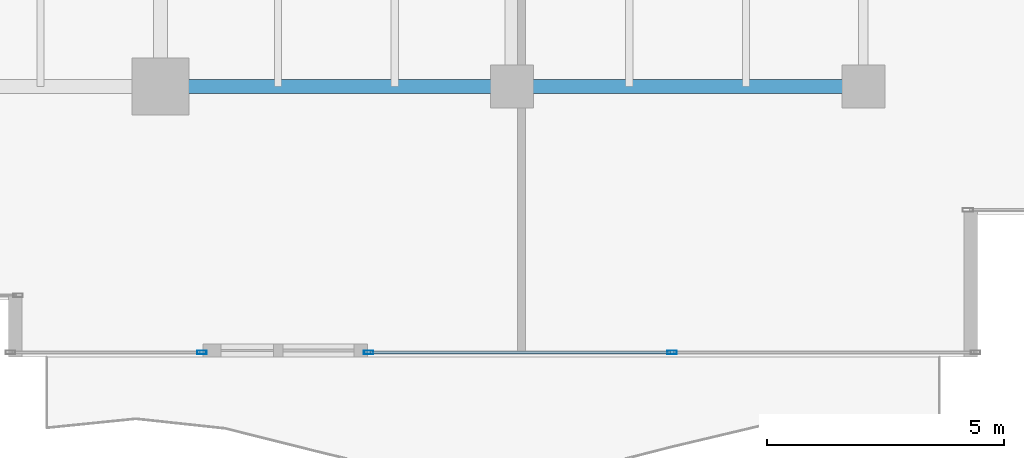
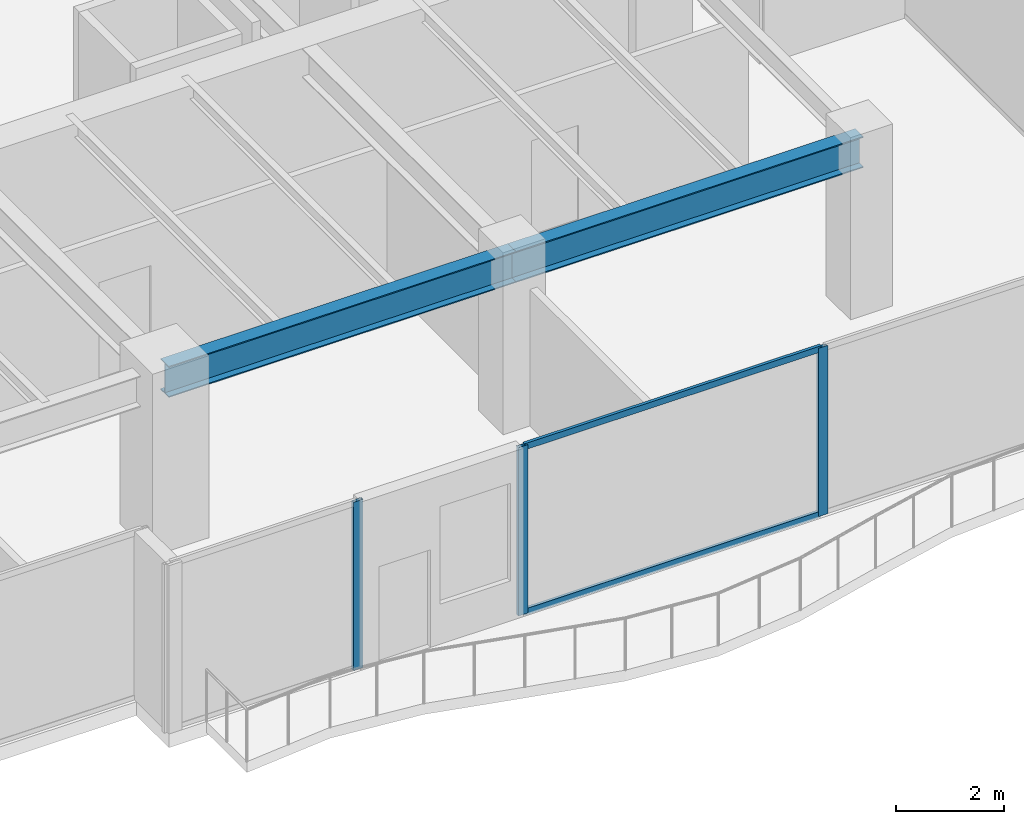
# One storey, part 10 of 30: 5 members, 2 beams, 2 elements without a shape of their own.
"""IFC4 building model written with IfcOpenShell, lengths in metres."""

import ifcopenshell
import ifcopenshell.guid

model = None  # the IFC model being written
_history = None  # IfcOwnerHistory: only IFC2X3 demands one
_inside = {}  # id of a spatial element -> (the spatial element, [elements in it])
_under = {}  # id of a project, library or spatial element -> (it, [spatial elements below it])
_declared = {}  # id of a project -> (the project, [libraries it declares])
_typed = {}  # id of a type object -> (the type object, [elements of that type])
_made_of = {}  # id of a material, layer set ... -> (it, [elements and type objects made of it])


def new_model(schema):
    """Start an empty IFC model of exactly this schema.

    Asked for "IFC4X3", IfcOpenShell would pick the latest addendum, in which some entities
    have other attributes; the version numbers below select the first issue.
    IFC2X3 requires an IfcOwnerHistory on every rooted entity: one is made here for all.
    """
    global model, _history
    if schema == "IFC4X3":
        model = ifcopenshell.file(schema_version=(4, 3, 0, 0))
    else:
        model = ifcopenshell.file(schema=schema)
    _inside.clear()
    _under.clear()
    _declared.clear()
    _typed.clear()
    _made_of.clear()
    _history = None
    if model.schema == "IFC2X3":
        org = make("IfcOrganization", Name="unknown")
        user = make(
            "IfcPersonAndOrganization",
            ThePerson=make("IfcPerson", FamilyName="unknown"),
            TheOrganization=org,
        )
        app = make(
            "IfcApplication",
            ApplicationDeveloper=org,
            Version="unknown",
            ApplicationFullName="unknown",
            ApplicationIdentifier="unknown",
        )
        _history = make(
            "IfcOwnerHistory",
            OwningUser=user,
            OwningApplication=app,
            ChangeAction="ADDED",
            CreationDate=0,
        )
    return model


def make(cls, **values):
    """One entity of the class cls with the attributes given. An attribute that is None is left unset."""
    return model.create_entity(
        cls, **{name: value for name, value in values.items() if value is not None}
    )


def rooted(cls, **values):
    """An entity with a GlobalId (a new one), such as an element, a storey or a relation."""
    return make(cls, GlobalId=ifcopenshell.guid.new(), OwnerHistory=_history, **values)


def si_unit(unit_type, name, prefix=None):
    """IfcSIUnit, for example si_unit("LENGTHUNIT", "METRE", prefix="MILLI")."""
    return make("IfcSIUnit", UnitType=unit_type, Prefix=prefix, Name=name)


def assignment(units):
    """IfcUnitAssignment: the units of a project."""
    return None if units is None else make("IfcUnitAssignment", Units=units)


def point(xyz):
    """IfcCartesianPoint."""
    return None if xyz is None else make("IfcCartesianPoint", Coordinates=xyz)


def direction(xyz):
    """IfcDirection."""
    return None if xyz is None else make("IfcDirection", DirectionRatios=xyz)


def frame(location, z_axis=None, x_axis=None):
    """IfcAxis2Placement3D, a coordinate frame: its origin and axes. An axis left out is left unset."""
    return make(
        "IfcAxis2Placement3D",
        Location=point(location),
        Axis=direction(z_axis),
        RefDirection=direction(x_axis),
    )


def frame_2d(location, x_axis=None):
    """IfcAxis2Placement2D, a coordinate frame in the plane: its origin and x axis."""
    return make(
        "IfcAxis2Placement2D", Location=point(location), RefDirection=direction(x_axis)
    )


def origin():
    """The frame at (0, 0, 0) with its axes left unset."""
    return frame((0.0, 0.0, 0.0))


def origin_2d():
    """The frame at (0, 0) in the plane with its x axis left unset."""
    return frame_2d((0.0, 0.0))


def place(relative_to, where):
    """IfcLocalPlacement: puts the frame where relative to a parent placement (None: the world)."""
    return make(
        "IfcLocalPlacement", PlacementRelTo=relative_to, RelativePlacement=where
    )


def context(
    kind, dimensions, precision=None, world=None, true_north=None, identifier=None
):
    """IfcGeometricRepresentationContext, for example the 3D "Model" context."""
    return make(
        "IfcGeometricRepresentationContext",
        ContextIdentifier=identifier,
        ContextType=kind,
        CoordinateSpaceDimension=dimensions,
        Precision=precision,
        WorldCoordinateSystem=world,
        TrueNorth=true_north,
    )


def subcontext(parent, identifier, kind, view, scale=None):
    """IfcGeometricRepresentationSubContext, for example "Body" below "Model"."""
    return make(
        "IfcGeometricRepresentationSubContext",
        ContextIdentifier=identifier,
        ContextType=kind,
        ParentContext=parent,
        TargetScale=scale,
        TargetView=view,
    )


def project(units=None, contexts=None):
    """IfcProject with its units and contexts."""
    return rooted(
        "IfcProject",
        Name="project",
        RepresentationContexts=contexts,
        UnitsInContext=assignment(units),
    )


def spatial(cls, under=None, at=None, **own):
    """A site, building, storey or space (cls), placed at a placement, below another one or the project."""
    s = rooted(cls, ObjectPlacement=at, **own)
    if under is not None:
        _under.setdefault(under.id(), (under, []))[1].append(s)
    return s


def profile(cls, at=None, kind="AREA", **sizes):
    """A parametric profile (cls). Its sizes go by their IFC names, for example OverallWidth=200.0."""
    return make(cls, ProfileType=kind, Position=at, **sizes)


def hollow_rectangle(**sizes):
    """IfcRectangleHollowProfileDef."""
    return profile("IfcRectangleHollowProfileDef", **sizes)


def i_section(**sizes):
    """IfcIShapeProfileDef."""
    return profile("IfcIShapeProfileDef", **sizes)


def extrude(swept, where, along, depth):
    """IfcExtrudedAreaSolid: the profile swept, set in the frame where, extruded along a direction by depth."""
    return make(
        "IfcExtrudedAreaSolid",
        SweptArea=swept,
        Position=where,
        ExtrudedDirection=direction(along),
        Depth=depth,
    )


def shape(context_of_items, identifier, shape_type, items):
    """IfcShapeRepresentation: the items that make up one representation, for example the "Body"."""
    return make(
        "IfcShapeRepresentation",
        ContextOfItems=context_of_items,
        RepresentationIdentifier=identifier,
        RepresentationType=shape_type,
        Items=items,
    )


def source(mapping_origin, context_of_items, identifier, shape_type, items):
    """IfcRepresentationMap: a shape defined once, which mapped items show again and again."""
    return make(
        "IfcRepresentationMap",
        MappingOrigin=mapping_origin,
        MappedRepresentation=shape(context_of_items, identifier, shape_type, items),
    )


def transform(
    local_origin,
    x_axis=None,
    y_axis=None,
    z_axis=None,
    scale=None,
    scale2=None,
    scale3=None,
    uniform=True,
):
    """IfcCartesianTransformationOperator3D, or its non-uniform kind. x_axis, y_axis, z_axis: its Axis1, 2, 3."""
    if uniform:
        return make(
            "IfcCartesianTransformationOperator3D",
            Axis1=direction(x_axis),
            Axis2=direction(y_axis),
            LocalOrigin=point(local_origin),
            Scale=scale,
            Axis3=direction(z_axis),
        )
    return make(
        "IfcCartesianTransformationOperator3DnonUniform",
        Axis1=direction(x_axis),
        Axis2=direction(y_axis),
        LocalOrigin=point(local_origin),
        Scale=scale,
        Axis3=direction(z_axis),
        Scale2=scale2,
        Scale3=scale3,
    )


def mapped(mapping_source, mapping_target):
    """IfcMappedItem: shows the shape of a source again, moved by a transform."""
    return make(
        "IfcMappedItem", MappingSource=mapping_source, MappingTarget=mapping_target
    )


def material(Name=None, Category=None):
    """IfcMaterial."""
    return make("IfcMaterial", Name=Name, Category=Category)


def layer(
    of_material, thickness, ventilated=None, Name=None, Category=None, Priority=None
):
    """IfcMaterialLayer: one layer of a wall or slab, of a material (None: an air gap)."""
    return make(
        "IfcMaterialLayer",
        Material=of_material,
        LayerThickness=thickness,
        IsVentilated=ventilated,
        Name=Name,
        Category=Category,
        Priority=Priority,
    )


def layer_set(layers, Name=None):
    """IfcMaterialLayerSet."""
    return make("IfcMaterialLayerSet", MaterialLayers=layers, LayerSetName=Name)


def material_profile(
    of_material, cross_section, Name=None, Category=None, Priority=None
):
    """IfcMaterialProfile: a cross section and its material."""
    return make(
        "IfcMaterialProfile",
        Name=Name,
        Material=of_material,
        Profile=cross_section,
        Priority=Priority,
        Category=Category,
    )


def profile_set(profiles, Name=None, composite=None):
    """IfcMaterialProfileSet."""
    return make(
        "IfcMaterialProfileSet",
        Name=Name,
        MaterialProfiles=profiles,
        CompositeProfile=composite,
    )


def made_of(thing, what):
    """Note that an element or type object is made of a material, layer set ...; save() writes the relation."""
    if what is not None:
        _made_of.setdefault(what.id(), (what, []))[1].append(thing)
    return thing


def type_object(cls, material=None, **own):
    """A type object (cls), such as IfcWallType, which elements share."""
    return made_of(rooted(cls, **own), material)


def type_shapes(of_type, sources):
    """Give a type object the sources (RepresentationMaps) that its elements show as mapped items."""
    of_type.RepresentationMaps = sources


def element(
    cls,
    number,
    at=None,
    inside=None,
    cuts=None,
    type_object=None,
    material=None,
    context=None,
    identifier="Body",
    shape_type=None,
    held_by="IfcProductDefinitionShape",
    body=None,
    shapes=None,
    **own,
):
    """One element of the class cls, such as IfcWall. Its Tag is "e" and its number.

    at: its placement. inside: the storey or other place that contains it. cuts: it is an
    opening in that element (IfcRelVoidsElement). A single representation is given by context,
    identifier, shape_type and body (its items); several are given by shapes. held_by: the class
    of the entity that holds the representations. save() writes the other relations.
    """
    e = rooted(cls, Tag="e%d" % number, ObjectPlacement=at, **own)
    if body is not None:
        shapes = [shape(context, identifier, shape_type, body)]
    if shapes is not None:
        e.Representation = make(held_by, Representations=shapes)
    if inside is not None:
        _inside.setdefault(inside.id(), (inside, []))[1].append(e)
    if cuts is not None:
        rooted(
            "IfcRelVoidsElement", RelatingBuildingElement=cuts, RelatedOpeningElement=e
        )
    if type_object is not None:
        _typed.setdefault(type_object.id(), (type_object, []))[1].append(e)
    return made_of(e, material)


def aggregate(whole, parts):
    """IfcRelAggregates: a whole, such as a stair, and the parts it consists of."""
    return rooted("IfcRelAggregates", RelatingObject=whole, RelatedObjects=parts)


def save(model, path):
    """Write the relations noted so far, then the file.

    IfcRelAggregates (storeys below a building ...), IfcRelContainedInSpatialStructure (elements
    in a storey), IfcRelDefinesByType, IfcRelAssociatesMaterial and IfcRelDeclares: one each for
    every whole, place, type object, material and project.
    """
    for whole, parts in _under.values():
        aggregate(whole, parts)
    for where, things in _inside.values():
        rooted(
            "IfcRelContainedInSpatialStructure",
            RelatedElements=things,
            RelatingStructure=where,
        )
    for kind, things in _typed.values():
        rooted("IfcRelDefinesByType", RelatedObjects=things, RelatingType=kind)
    for what, things in _made_of.values():
        rooted("IfcRelAssociatesMaterial", RelatedObjects=things, RelatingMaterial=what)
    for by, libraries in _declared.values():
        rooted("IfcRelDeclares", RelatingContext=by, RelatedDefinitions=libraries)
    model.write(path)


model = new_model("IFC4")

# Units and contexts
model_context = context("Model", 3, precision=1e-05, world=origin(), true_north=direction((0.0, 1.0)))
body_context = subcontext(model_context, "Body", "Model", "MODEL_VIEW")
ifc_project = project(units=[si_unit("LENGTHUNIT", "METRE"), si_unit("AREAUNIT", "SQUARE_METRE"), si_unit("VOLUMEUNIT", "CUBIC_METRE"), si_unit("PLANEANGLEUNIT", "RADIAN"), si_unit("MASSUNIT", "GRAM", prefix="KILO")], contexts=[model_context])

# Site, building, storey
site_placement = place(None, origin())
site = spatial("IfcSite", under=ifc_project, at=site_placement, CompositionType="ELEMENT")
building_placement = place(site_placement, origin())
building = spatial("IfcBuilding", under=site, at=building_placement, Name="Haelvirn Gate Laboratories", CompositionType="ELEMENT")
storey_placement = place(building_placement, frame((0.0, 0.0, 146.10009765625)))
storey = spatial("IfcBuildingStorey", under=building, at=storey_placement, Name="L35", CompositionType="ELEMENT", Elevation=146.10009765625)

# Beams
ifc_material_1 = material(Name="Steel SM355", Category="steel")
ifc_material_profile_1 = material_profile(ifc_material_1, i_section(OverallWidth=0.300048828125, OverallDepth=0.699951171875, WebThickness=0.012939453125, FlangeThickness=0.02392578125, at=origin_2d()), Name="H-700x300x13x24")
ifc_profile_set_1 = profile_set([ifc_material_profile_1], Name="Steel SM355")
beam_type = type_object("IfcBeamType", Name="BM-G-700", PredefinedType="BEAM", material=ifc_profile_set_1)
shared_shape_1 = source(origin(), body_context, "Body", "SweptSolid", [
    extrude(i_section(OverallWidth=0.300048828125, OverallDepth=0.699951171875, WebThickness=0.012939453125, FlangeThickness=0.02392578125, at=origin_2d()), origin(), (0.0, 0.0, 1.0), 7.39990234375),
])
type_shapes(beam_type, [shared_shape_1])
for number, where, z_axis, x_axis, name in (
    (1, (52.60009765625, 7.0, 3.43994140625), (1.0, 0.0, 0.0), (0.0, 1.0, 0.0), "L35 Primary Girder Y7.0 (52.6-60.0)"),
    (2, (60.0, 7.0, 3.43994140625), (1.0, 0.0, 0.0), (0.0, 1.0, 0.0), "L35 Primary Girder Y7.0 (60.0-67.4)"),
):
    element("IfcBeam", number, at=place(storey_placement, frame(where, z_axis=z_axis, x_axis=x_axis)), inside=storey, type_object=beam_type, Name=name, PredefinedType="BEAM", context=body_context, shape_type="MappedRepresentation", body=[
        mapped(shared_shape_1, transform((0.0, 0.0, 0.0), scale=1.0)),
    ])

# Curtain wall, member
ifc_material_2 = material(Name="Anodised bronze unitised aluminium & triple low-E glass", Category="aluminium")
ifc_layer = layer(ifc_material_2, 0.179931640625, Name="CW-SYS-3")
ifc_layer_set = layer_set([ifc_layer], Name="Anodised bronze unitised aluminium & triple low-E glass")
curtain_wall_type = type_object("IfcCurtainWallType", Name="CW-SYS-3", PredefinedType="NOTDEFINED", material=ifc_layer_set)
curtain_wall_1_placement = place(storey_placement, origin())
curtain_wall_1 = element("IfcCurtainWall", 3, at=curtain_wall_1_placement, inside=storey, type_object=curtain_wall_type, Name="L35 Unitised Curtain Wall CW-L35-P0-E04-1", PredefinedType="NOTDEFINED")
ifc_material_3 = material(Name="Extruded aluminium 6063-T6 (anodised bronze)", Category="aluminium")
ifc_material_profile_2 = material_profile(ifc_material_3, hollow_rectangle(XDim=0.074951171875, YDim=0.199951171875, WallThickness=0.0048828125, at=origin_2d()), Name="CWM-200x75x5")
ifc_profile_set_2 = profile_set([ifc_material_profile_2], Name="Extruded aluminium 6063-T6 (anodised bronze)")
member_type_1 = type_object("IfcMemberType", Name="CWM-T200", PredefinedType="MULLION", material=ifc_profile_set_2)
shared_shape_2 = source(origin(), body_context, "Body", "SweptSolid", [
    extrude(hollow_rectangle(XDim=0.074951171875, YDim=0.199951171875, WallThickness=0.0048828125, at=origin_2d()), origin(), (0.0, 0.0, 1.0), 3.789794921875),
])
type_shapes(member_type_1, [shared_shape_2])
member_1_placement = place(storey_placement, frame((53.467529296875, 1.39990234375, 0.0), z_axis=(0.0, 0.0, 1.0), x_axis=(0.0, 1.0, 0.0)))
member_1 = element("IfcMember", 4, at=member_1_placement, type_object=member_type_1, Name="CW3 mullion 2", PredefinedType="MULLION", context=body_context, shape_type="MappedRepresentation", body=[
    mapped(shared_shape_2, transform((0.0, 0.0, 0.0), scale=1.0)),
])
aggregate(curtain_wall_1, [member_1])

# Curtain wall, members
curtain_wall_2_placement = place(storey_placement, origin())
curtain_wall_2 = element("IfcCurtainWall", 5, at=curtain_wall_2_placement, inside=storey, type_object=curtain_wall_type, Name="L35 Unitised Curtain Wall CW-L35-P0-E04-2", PredefinedType="NOTDEFINED")
member_2_placement = place(storey_placement, frame((56.982421875, 1.39990234375, 0.0), z_axis=(0.0, 0.0, 1.0), x_axis=(0.0, 1.0, 0.0)))
member_2 = element("IfcMember", 6, at=member_2_placement, type_object=member_type_1, Name="CW3 mullion 1", PredefinedType="MULLION", context=body_context, shape_type="MappedRepresentation", body=[
    mapped(shared_shape_2, transform((0.0, 0.0, 0.0), scale=1.0)),
])
member_3_placement = place(storey_placement, frame((63.37255859375, 1.39990234375, 0.0), z_axis=(0.0, 0.0, 1.0), x_axis=(0.0, 1.0, 0.0)))
member_3 = element("IfcMember", 7, at=member_3_placement, type_object=member_type_1, Name="CW3 mullion 2", PredefinedType="MULLION", context=body_context, shape_type="MappedRepresentation", body=[
    mapped(shared_shape_2, transform((0.0, 0.0, 0.0), scale=1.0)),
])
ifc_material_profile_3 = material_profile(ifc_material_3, hollow_rectangle(XDim=0.06494140625, YDim=0.139892578125, WallThickness=0.00390625, at=origin_2d()), Name="CWT-140x65x4")
ifc_profile_set_3 = profile_set([ifc_material_profile_3], Name="Extruded aluminium 6063-T6 (anodised bronze)")
member_type_2 = type_object("IfcMemberType", Name="CWT-T140", PredefinedType="USERDEFINED", material=ifc_profile_set_3)
shared_shape_3 = source(origin(), body_context, "Body", "SweptSolid", [
    extrude(hollow_rectangle(XDim=0.06494140625, YDim=0.139892578125, WallThickness=0.00390625, at=origin_2d()), origin(), (0.0, 0.0, 1.0), 6.31494140625),
])
type_shapes(member_type_2, [shared_shape_3])
member_4_placement = place(storey_placement, frame((57.02001953125, 1.39990234375, 0.032470703125), z_axis=(1.0, 0.0, 0.0), x_axis=(0.0, 1.0, 0.0)))
member_4 = element("IfcMember", 8, at=member_4_placement, type_object=member_type_2, Name="CW3 transom 1.1", ObjectType="TRANSOM", PredefinedType="USERDEFINED", context=body_context, shape_type="MappedRepresentation", body=[
    mapped(shared_shape_3, transform((0.0, 0.0, 0.0), scale=1.0)),
])
member_5_placement = place(storey_placement, frame((57.02001953125, 1.39990234375, 3.75732421875), z_axis=(1.0, 0.0, 0.0), x_axis=(0.0, 1.0, 0.0)))
member_5 = element("IfcMember", 9, at=member_5_placement, type_object=member_type_2, Name="CW3 transom 1.2", ObjectType="TRANSOM", PredefinedType="USERDEFINED", context=body_context, shape_type="MappedRepresentation", body=[
    mapped(shared_shape_3, transform((0.0, 0.0, 0.0), scale=1.0)),
])
aggregate(curtain_wall_2, [member_2, member_3, member_4, member_5])

save(model, "model.ifc")
